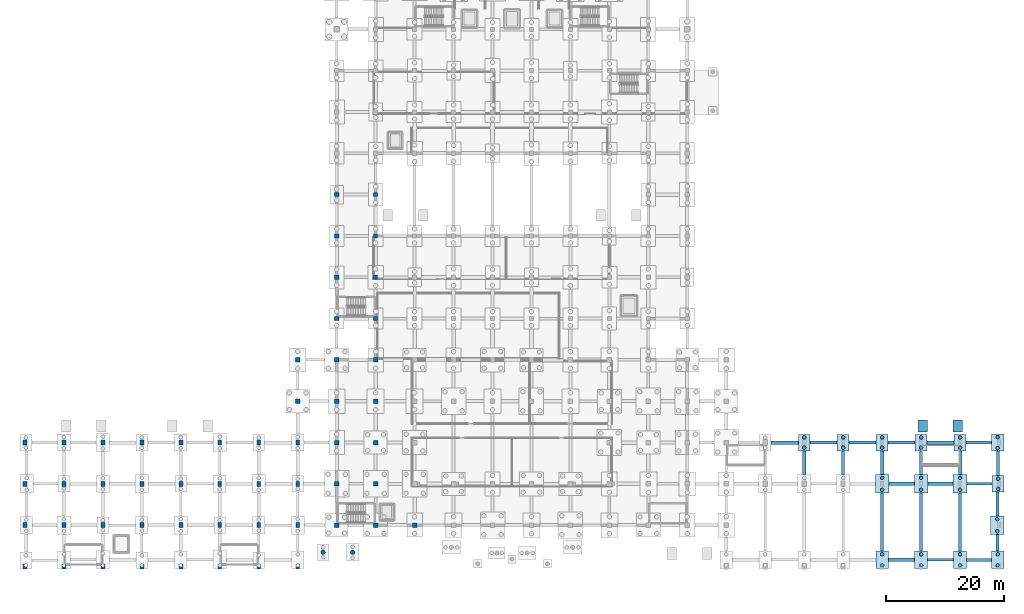
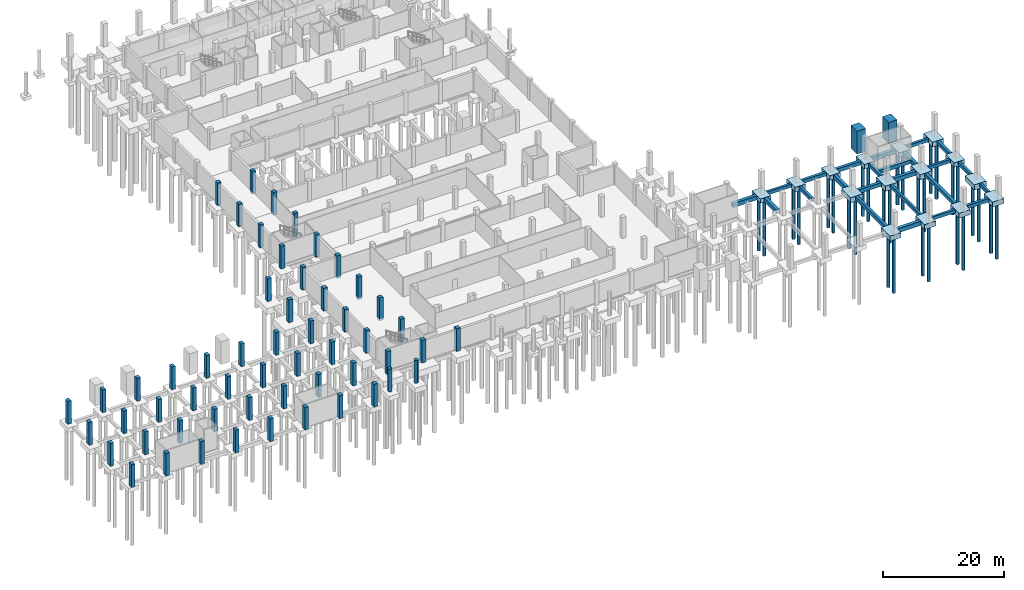
# One storey, part 12 of 27: 55 columns, 41 footings, 30 piles.
"""IFC4 building model written with IfcOpenShell, lengths in metres."""

from ifc_helpers import new_model, si_unit, direction, frame, origin, origin_2d, place, context, subcontext, project, spatial, rectangle, circle, extrude, material, material_profile, profile_set, type_object, element, save


model = new_model("IFC4")

# Units and contexts
model_context = context("Model", 3, precision=1e-05, world=origin(), true_north=direction((0.0, 1.0)))
body_context = subcontext(model_context, "Body", "Model", "MODEL_VIEW")
ifc_project = project(units=[si_unit("LENGTHUNIT", "METRE"), si_unit("AREAUNIT", "SQUARE_METRE"), si_unit("VOLUMEUNIT", "CUBIC_METRE"), si_unit("PLANEANGLEUNIT", "RADIAN"), si_unit("MASSUNIT", "GRAM", prefix="KILO")], contexts=[model_context])

# Site, building, storey
site_placement = place(None, origin())
site = spatial("IfcSite", under=ifc_project, at=site_placement, CompositionType="ELEMENT")
building_placement = place(site_placement, origin())
building = spatial("IfcBuilding", under=site, at=building_placement, Name="Ciguamira Faculty of Natural Sciences", CompositionType="ELEMENT")
storey_placement = place(building_placement, frame((0.0, 0.0, -4.199951171875)))
storey = spatial("IfcBuildingStorey", under=building, at=storey_placement, Name="B1", CompositionType="ELEMENT", Elevation=-4.199951171875)

# Piles
ifc_material_1 = material(Name="Concrete C35/45", Category="concrete")
ifc_material_profile_1 = material_profile(ifc_material_1, circle(Radius=0.300048828125, at=origin_2d()), Name="PILE-BORED-600")
ifc_profile_set_1 = profile_set([ifc_material_profile_1], Name="Concrete C35/45")
pile_type = type_object("IfcPileType", Name="BoredPile_BP-01_600", PredefinedType="BORED", material=ifc_profile_set_1)
for number, where, z_axis, x_axis, name in (
    (1, (136.5, 23.139892578125, -1.199951171875), (0.0, 0.0, -1.0), (1.0, 0.0, 0.0), "B1 bored pile 195-1"),
    (2, (136.5, 24.860107421875, -1.199951171875), (0.0, 0.0, -1.0), (1.0, 0.0, 0.0), "B1 bored pile 195-2"),
    (3, (143.10009765625, 23.139892578125, -1.199951171875), (0.0, 0.0, -1.0), (1.0, 0.0, 0.0), "B1 bored pile 198-1"),
    (4, (143.10009765625, 24.860107421875, -1.199951171875), (0.0, 0.0, -1.0), (1.0, 0.0, 0.0), "B1 bored pile 198-2"),
):
    element("IfcPile", number, at=place(storey_placement, frame(where, z_axis=z_axis, x_axis=x_axis)), inside=storey, type_object=pile_type, Name=name, PredefinedType="BORED", context=body_context, shape_type="SweptSolid", body=[
        extrude(circle(Radius=0.300048828125, at=origin_2d()), origin(), (0.0, 0.0, 1.0), 11.199951171875),
    ])
for number, where, z_axis, x_axis, name in (
    (5, (149.699951171875, 3.18994140625, -1.300048828125), (0.0, 0.0, -1.0), (1.0, 0.0, 0.0), "B1 bored pile 199-1"),
    (6, (149.699951171875, 5.06005859375, -1.300048828125), (0.0, 0.0, -1.0), (1.0, 0.0, 0.0), "B1 bored pile 199-2"),
):
    element("IfcPile", number, at=place(storey_placement, frame(where, z_axis=z_axis, x_axis=x_axis)), inside=storey, type_object=pile_type, Name=name, PredefinedType="BORED", context=body_context, shape_type="SweptSolid", body=[
        extrude(circle(Radius=0.300048828125, at=origin_2d()), origin(), (0.0, 0.0, 1.0), 11.10009765625),
    ])
for number, where, z_axis, x_axis, name in (
    (7, (149.699951171875, 15.989990234375, -1.35009765625), (0.0, 0.0, -1.0), (1.0, 0.0, 0.0), "B1 bored pile 200-1"),
    (8, (149.699951171875, 18.010009765625, -1.35009765625), (0.0, 0.0, -1.0), (1.0, 0.0, 0.0), "B1 bored pile 200-2"),
):
    element("IfcPile", number, at=place(storey_placement, frame(where, z_axis=z_axis, x_axis=x_axis)), inside=storey, type_object=pile_type, Name=name, PredefinedType="BORED", context=body_context, shape_type="SweptSolid", body=[
        extrude(circle(Radius=0.300048828125, at=origin_2d()), origin(), (0.0, 0.0, 1.0), 11.050048828125),
    ])
for number, where, z_axis, x_axis, name in (
    (9, (149.699951171875, 23.139892578125, -1.199951171875), (0.0, 0.0, -1.0), (1.0, 0.0, 0.0), "B1 bored pile 201-1"),
    (10, (149.699951171875, 24.860107421875, -1.199951171875), (0.0, 0.0, -1.0), (1.0, 0.0, 0.0), "B1 bored pile 201-2"),
):
    element("IfcPile", number, at=place(storey_placement, frame(where, z_axis=z_axis, x_axis=x_axis)), inside=storey, type_object=pile_type, Name=name, PredefinedType="BORED", context=body_context, shape_type="SweptSolid", body=[
        extrude(circle(Radius=0.300048828125, at=origin_2d()), origin(), (0.0, 0.0, 1.0), 11.199951171875),
    ])
for number, where, z_axis, x_axis, name in (
    (11, (156.300048828125, 3.18994140625, -1.300048828125), (0.0, 0.0, -1.0), (1.0, 0.0, 0.0), "B1 bored pile 202-1"),
    (12, (156.300048828125, 5.06005859375, -1.300048828125), (0.0, 0.0, -1.0), (1.0, 0.0, 0.0), "B1 bored pile 202-2"),
):
    element("IfcPile", number, at=place(storey_placement, frame(where, z_axis=z_axis, x_axis=x_axis)), inside=storey, type_object=pile_type, Name=name, PredefinedType="BORED", context=body_context, shape_type="SweptSolid", body=[
        extrude(circle(Radius=0.300048828125, at=origin_2d()), origin(), (0.0, 0.0, 1.0), 11.10009765625),
    ])
for number, where, z_axis, x_axis, name in (
    (13, (156.300048828125, 15.989990234375, -1.35009765625), (0.0, 0.0, -1.0), (1.0, 0.0, 0.0), "B1 bored pile 203-1"),
    (14, (156.300048828125, 18.010009765625, -1.35009765625), (0.0, 0.0, -1.0), (1.0, 0.0, 0.0), "B1 bored pile 203-2"),
):
    element("IfcPile", number, at=place(storey_placement, frame(where, z_axis=z_axis, x_axis=x_axis)), inside=storey, type_object=pile_type, Name=name, PredefinedType="BORED", context=body_context, shape_type="SweptSolid", body=[
        extrude(circle(Radius=0.300048828125, at=origin_2d()), origin(), (0.0, 0.0, 1.0), 11.050048828125),
    ])
for number, where, z_axis, x_axis, name in (
    (15, (156.300048828125, 23.139892578125, -1.199951171875), (0.0, 0.0, -1.0), (1.0, 0.0, 0.0), "B1 bored pile 204-1"),
    (16, (156.300048828125, 24.860107421875, -1.199951171875), (0.0, 0.0, -1.0), (1.0, 0.0, 0.0), "B1 bored pile 204-2"),
):
    element("IfcPile", number, at=place(storey_placement, frame(where, z_axis=z_axis, x_axis=x_axis)), inside=storey, type_object=pile_type, Name=name, PredefinedType="BORED", context=body_context, shape_type="SweptSolid", body=[
        extrude(circle(Radius=0.300048828125, at=origin_2d()), origin(), (0.0, 0.0, 1.0), 11.199951171875),
    ])
for number, where, z_axis, x_axis, name in (
    (17, (162.89990234375, 3.18994140625, -1.300048828125), (0.0, 0.0, -1.0), (1.0, 0.0, 0.0), "B1 bored pile 205-1"),
    (18, (162.89990234375, 5.06005859375, -1.300048828125), (0.0, 0.0, -1.0), (1.0, 0.0, 0.0), "B1 bored pile 205-2"),
):
    element("IfcPile", number, at=place(storey_placement, frame(where, z_axis=z_axis, x_axis=x_axis)), inside=storey, type_object=pile_type, Name=name, PredefinedType="BORED", context=body_context, shape_type="SweptSolid", body=[
        extrude(circle(Radius=0.300048828125, at=origin_2d()), origin(), (0.0, 0.0, 1.0), 11.10009765625),
    ])
for number, where, z_axis, x_axis, name in (
    (19, (162.89990234375, 15.989990234375, -1.35009765625), (0.0, 0.0, -1.0), (1.0, 0.0, 0.0), "B1 bored pile 206-1"),
    (20, (162.89990234375, 18.010009765625, -1.35009765625), (0.0, 0.0, -1.0), (1.0, 0.0, 0.0), "B1 bored pile 206-2"),
):
    element("IfcPile", number, at=place(storey_placement, frame(where, z_axis=z_axis, x_axis=x_axis)), inside=storey, type_object=pile_type, Name=name, PredefinedType="BORED", context=body_context, shape_type="SweptSolid", body=[
        extrude(circle(Radius=0.300048828125, at=origin_2d()), origin(), (0.0, 0.0, 1.0), 11.050048828125),
    ])
for number, where, z_axis, x_axis, name in (
    (21, (162.89990234375, 23.139892578125, -1.199951171875), (0.0, 0.0, -1.0), (1.0, 0.0, 0.0), "B1 bored pile 207-1"),
    (22, (162.89990234375, 24.860107421875, -1.199951171875), (0.0, 0.0, -1.0), (1.0, 0.0, 0.0), "B1 bored pile 207-2"),
):
    element("IfcPile", number, at=place(storey_placement, frame(where, z_axis=z_axis, x_axis=x_axis)), inside=storey, type_object=pile_type, Name=name, PredefinedType="BORED", context=body_context, shape_type="SweptSolid", body=[
        extrude(circle(Radius=0.300048828125, at=origin_2d()), origin(), (0.0, 0.0, 1.0), 11.199951171875),
    ])
for number, where, z_axis, x_axis, name in (
    (23, (169.27490234375, 3.18994140625, -1.300048828125), (0.0, 0.0, -1.0), (1.0, 0.0, 0.0), "B1 bored pile 208-1"),
    (24, (169.27490234375, 5.06005859375, -1.300048828125), (0.0, 0.0, -1.0), (1.0, 0.0, 0.0), "B1 bored pile 208-2"),
):
    element("IfcPile", number, at=place(storey_placement, frame(where, z_axis=z_axis, x_axis=x_axis)), inside=storey, type_object=pile_type, Name=name, PredefinedType="BORED", context=body_context, shape_type="SweptSolid", body=[
        extrude(circle(Radius=0.300048828125, at=origin_2d()), origin(), (0.0, 0.0, 1.0), 11.10009765625),
    ])
for number, where, z_axis, x_axis, name in (
    (25, (169.199951171875, 8.989990234375, -1.35009765625), (0.0, 0.0, -1.0), (1.0, 0.0, 0.0), "B1 bored pile 209-1"),
    (26, (169.199951171875, 11.010009765625, -1.35009765625), (0.0, 0.0, -1.0), (1.0, 0.0, 0.0), "B1 bored pile 209-2"),
):
    element("IfcPile", number, at=place(storey_placement, frame(where, z_axis=z_axis, x_axis=x_axis)), inside=storey, type_object=pile_type, Name=name, PredefinedType="BORED", context=body_context, shape_type="SweptSolid", body=[
        extrude(circle(Radius=0.300048828125, at=origin_2d()), origin(), (0.0, 0.0, 1.0), 11.050048828125),
    ])
for number, where, z_axis, x_axis, name in (
    (27, (169.35009765625, 16.139892578125, -1.199951171875), (0.0, 0.0, -1.0), (1.0, 0.0, 0.0), "B1 bored pile 210-1"),
    (28, (169.35009765625, 17.860107421875, -1.199951171875), (0.0, 0.0, -1.0), (1.0, 0.0, 0.0), "B1 bored pile 210-2"),
):
    element("IfcPile", number, at=place(storey_placement, frame(where, z_axis=z_axis, x_axis=x_axis)), inside=storey, type_object=pile_type, Name=name, PredefinedType="BORED", context=body_context, shape_type="SweptSolid", body=[
        extrude(circle(Radius=0.300048828125, at=origin_2d()), origin(), (0.0, 0.0, 1.0), 11.199951171875),
    ])
for number, where, z_axis, x_axis, name in (
    (29, (169.27490234375, 23.06494140625, -1.300048828125), (0.0, 0.0, -1.0), (1.0, 0.0, 0.0), "B1 bored pile 211-1"),
    (30, (169.27490234375, 24.93505859375, -1.300048828125), (0.0, 0.0, -1.0), (1.0, 0.0, 0.0), "B1 bored pile 211-2"),
):
    element("IfcPile", number, at=place(storey_placement, frame(where, z_axis=z_axis, x_axis=x_axis)), inside=storey, type_object=pile_type, Name=name, PredefinedType="BORED", context=body_context, shape_type="SweptSolid", body=[
        extrude(circle(Radius=0.300048828125, at=origin_2d()), origin(), (0.0, 0.0, 1.0), 11.10009765625),
    ])

# Footings
ifc_material_profile_2 = material_profile(ifc_material_1, rectangle(XDim=0.449951171875, YDim=0.64990234375, at=origin_2d()), Name="RC-FB-450X650")
ifc_profile_set_2 = profile_set([ifc_material_profile_2], Name="Concrete C35/45")
footing_type_1 = type_object("IfcFootingType", Name="FootingBeam_FB-01_450x650", PredefinedType="FOOTING_BEAM", material=ifc_profile_set_2)
footing_1_placement = place(storey_placement, frame((157.375, 4.125, -0.72509765625), z_axis=(1.0, 0.0, 0.0), x_axis=(0.0, 1.0, 0.0)))
element("IfcFooting", 31, at=footing_1_placement, inside=storey, type_object=footing_type_1, Name="B1 ground tie beam 0013", PredefinedType="FOOTING_BEAM", context=body_context, shape_type="SweptSolid", body=[
    extrude(rectangle(XDim=0.449951171875, YDim=0.64990234375, at=origin_2d()), origin(), (0.0, 0.0, 1.0), 4.449951171875),
])
footing_2_placement = place(storey_placement, frame((164.050048828125, 17.0, -0.72509765625), z_axis=(1.0, 0.0, 0.0), x_axis=(0.0, 1.0, 0.0)))
element("IfcFooting", 32, at=footing_2_placement, inside=storey, type_object=footing_type_1, Name="B1 ground tie beam 0057", PredefinedType="FOOTING_BEAM", context=body_context, shape_type="SweptSolid", body=[
    extrude(rectangle(XDim=0.449951171875, YDim=0.64990234375, at=origin_2d()), origin(), (0.0, 0.0, 1.0), 4.300048828125),
])
footing_3_placement = place(storey_placement, frame((137.5, 24.0, -0.72509765625), z_axis=(1.0, 0.0, 0.0), x_axis=(0.0, 1.0, 0.0)))
element("IfcFooting", 33, at=footing_3_placement, inside=storey, type_object=footing_type_1, Name="B1 ground tie beam 0073", PredefinedType="FOOTING_BEAM", context=body_context, shape_type="SweptSolid", body=[
    extrude(rectangle(XDim=0.449951171875, YDim=0.64990234375, at=origin_2d()), origin(), (0.0, 0.0, 1.0), 4.60009765625),
])
footing_4_placement = place(storey_placement, frame((163.89990234375, 24.0, -0.72509765625), z_axis=(1.0, 0.0, 0.0), x_axis=(0.0, 1.0, 0.0)))
element("IfcFooting", 34, at=footing_4_placement, inside=storey, type_object=footing_type_1, Name="B1 ground tie beam 0077", PredefinedType="FOOTING_BEAM", context=body_context, shape_type="SweptSolid", body=[
    extrude(rectangle(XDim=0.449951171875, YDim=0.64990234375, at=origin_2d()), origin(), (0.0, 0.0, 1.0), 4.300048828125),
])
footing_5_placement = place(storey_placement, frame((156.300048828125, 5.60009765625, -0.72509765625), z_axis=(0.0, 1.0, 0.0), x_axis=(-1.0, 0.0, 0.0)))
element("IfcFooting", 35, at=footing_5_placement, inside=storey, type_object=footing_type_1, Name="B1 ground tie beam 0365", PredefinedType="FOOTING_BEAM", context=body_context, shape_type="SweptSolid", body=[
    extrude(rectangle(XDim=0.449951171875, YDim=0.64990234375, at=origin_2d()), origin(), (0.0, 0.0, 1.0), 9.849853515625),
])
footing_6_placement = place(storey_placement, frame((169.237548828125, 5.60009765625, -0.72509765625), z_axis=(0.0, 1.0, 0.0), x_axis=(-1.0, 0.0, 0.0)))
element("IfcFooting", 36, at=footing_6_placement, inside=storey, type_object=footing_type_1, Name="B1 ground tie beam 0369", PredefinedType="FOOTING_BEAM", context=body_context, shape_type="SweptSolid", body=[
    extrude(rectangle(XDim=0.449951171875, YDim=0.64990234375, at=origin_2d()), origin(), (0.0, 0.0, 1.0), 2.849853515625),
])
ifc_material_profile_3 = material_profile(ifc_material_1, rectangle(XDim=0.5, YDim=0.699951171875, at=origin_2d()), Name="RC-FB-500X700")
ifc_profile_set_3 = profile_set([ifc_material_profile_3], Name="Concrete C35/45")
footing_type_2 = type_object("IfcFootingType", Name="FootingBeam_FB-02_500x700", PredefinedType="FOOTING_BEAM", material=ifc_profile_set_3)
footing_7_placement = place(storey_placement, frame((163.97509765625, 4.125, -0.75), z_axis=(1.0, 0.0, 0.0), x_axis=(0.0, 1.0, 0.0)))
element("IfcFooting", 37, at=footing_7_placement, inside=storey, type_object=footing_type_2, Name="B1 ground tie beam 0014", PredefinedType="FOOTING_BEAM", context=body_context, shape_type="SweptSolid", body=[
    extrude(rectangle(XDim=0.5, YDim=0.699951171875, at=origin_2d()), origin(), (0.0, 0.0, 1.0), 4.224853515625),
])
footing_8_placement = place(storey_placement, frame((144.10009765625, 24.0, -0.75), z_axis=(1.0, 0.0, 0.0), x_axis=(0.0, 1.0, 0.0)))
element("IfcFooting", 38, at=footing_8_placement, inside=storey, type_object=footing_type_2, Name="B1 ground tie beam 0074", PredefinedType="FOOTING_BEAM", context=body_context, shape_type="SweptSolid", body=[
    extrude(rectangle(XDim=0.5, YDim=0.699951171875, at=origin_2d()), origin(), (0.0, 0.0, 1.0), 4.599853515625),
])
for number, where, z_axis, x_axis, name in (
    (39, (143.10009765625, 18.550048828125, -0.75), (0.0, 1.0, 0.0), (-1.0, 0.0, 0.0), "B1 ground tie beam 0362"),
    (40, (156.300048828125, 18.550048828125, -0.75), (0.0, 1.0, 0.0), (-1.0, 0.0, 0.0), "B1 ground tie beam 0366"),
    (41, (169.27490234375, 11.550048828125, -0.75), (0.0, 1.0, 0.0), (-1.0, 0.0, 0.0), "B1 ground tie beam 0370"),
):
    element("IfcFooting", number, at=place(storey_placement, frame(where, z_axis=z_axis, x_axis=x_axis)), inside=storey, type_object=footing_type_2, Name=name, PredefinedType="FOOTING_BEAM", context=body_context, shape_type="SweptSolid", body=[
        extrude(rectangle(XDim=0.5, YDim=0.699951171875, at=origin_2d()), origin(), (0.0, 0.0, 1.0), 4.050048828125),
    ])
ifc_material_profile_4 = material_profile(ifc_material_1, rectangle(XDim=0.550048828125, YDim=0.75, at=origin_2d()), Name="RC-FB-550X750")
ifc_profile_set_4 = profile_set([ifc_material_profile_4], Name="Concrete C35/45")
footing_type_3 = type_object("IfcFootingType", Name="FootingBeam_FB-03_550x750", PredefinedType="FOOTING_BEAM", material=ifc_profile_set_4)
footing_9_placement = place(storey_placement, frame((150.85009765625, 17.0, -0.775146484375), z_axis=(1.0, 0.0, 0.0), x_axis=(0.0, 1.0, 0.0)))
element("IfcFooting", 42, at=footing_9_placement, inside=storey, type_object=footing_type_3, Name="B1 ground tie beam 0055", PredefinedType="FOOTING_BEAM", context=body_context, shape_type="SweptSolid", body=[
    extrude(rectangle(XDim=0.550048828125, YDim=0.75, at=origin_2d()), origin(), (0.0, 0.0, 1.0), 4.2998046875),
])
footing_10_placement = place(storey_placement, frame((150.699951171875, 24.0, -0.775146484375), z_axis=(1.0, 0.0, 0.0), x_axis=(0.0, 1.0, 0.0)))
element("IfcFooting", 43, at=footing_10_placement, inside=storey, type_object=footing_type_3, Name="B1 ground tie beam 0075", PredefinedType="FOOTING_BEAM", context=body_context, shape_type="SweptSolid", body=[
    extrude(rectangle(XDim=0.550048828125, YDim=0.75, at=origin_2d()), origin(), (0.0, 0.0, 1.0), 4.60009765625),
])
for number, where, z_axis, x_axis, name in (
    (44, (149.699951171875, 5.60009765625, -0.775146484375), (0.0, 1.0, 0.0), (-1.0, 0.0, 0.0), "B1 ground tie beam 0363"),
    (45, (162.89990234375, 5.60009765625, -0.775146484375), (0.0, 1.0, 0.0), (-1.0, 0.0, 0.0), "B1 ground tie beam 0367"),
):
    element("IfcFooting", number, at=place(storey_placement, frame(where, z_axis=z_axis, x_axis=x_axis)), inside=storey, type_object=footing_type_3, Name=name, PredefinedType="FOOTING_BEAM", context=body_context, shape_type="SweptSolid", body=[
        extrude(rectangle(XDim=0.550048828125, YDim=0.75, at=origin_2d()), origin(), (0.0, 0.0, 1.0), 9.849853515625),
    ])
footing_11_placement = place(storey_placement, frame((169.3125, 18.39990234375, -0.775146484375), z_axis=(0.0, 1.0, 0.0), x_axis=(-1.0, 0.0, 0.0)))
element("IfcFooting", 46, at=footing_11_placement, inside=storey, type_object=footing_type_3, Name="B1 ground tie beam 0371", PredefinedType="FOOTING_BEAM", context=body_context, shape_type="SweptSolid", body=[
    extrude(rectangle(XDim=0.550048828125, YDim=0.75, at=origin_2d()), origin(), (0.0, 0.0, 1.0), 4.125),
])
footing_12_placement = place(storey_placement, frame((156.610107421875, 20.199951171875, -0.775146484375), z_axis=(1.0, 0.0, 0.0), x_axis=(0.0, 1.0, 0.0)))
element("IfcFooting", 47, at=footing_12_placement, inside=storey, type_object=footing_type_3, Name="B1 ST-L2 core transverse footing beam south", PredefinedType="FOOTING_BEAM", context=body_context, shape_type="SweptSolid", body=[
    extrude(rectangle(XDim=0.550048828125, YDim=0.75, at=origin_2d()), origin(), (0.0, 0.0, 1.0), 5.97998046875),
])
ifc_material_profile_5 = material_profile(ifc_material_1, rectangle(XDim=0.60009765625, YDim=0.85009765625, at=origin_2d()), Name="RC-FB-600X850")
ifc_profile_set_5 = profile_set([ifc_material_profile_5], Name="Concrete C35/45")
footing_type_4 = type_object("IfcFootingType", Name="FootingBeam_FB-04_600x850", PredefinedType="FOOTING_BEAM", material=ifc_profile_set_5)
footing_13_placement = place(storey_placement, frame((150.77490234375, 4.125, -0.824951171875), z_axis=(1.0, 0.0, 0.0), x_axis=(0.0, 1.0, 0.0)))
element("IfcFooting", 48, at=footing_13_placement, inside=storey, type_object=footing_type_4, Name="B1 ground tie beam 0012", PredefinedType="FOOTING_BEAM", context=body_context, shape_type="SweptSolid", body=[
    extrude(rectangle(XDim=0.60009765625, YDim=0.85009765625, at=origin_2d()), origin(), (0.0, 0.0, 1.0), 4.4501953125),
])
footing_14_placement = place(storey_placement, frame((157.449951171875, 17.0, -0.824951171875), z_axis=(1.0, 0.0, 0.0), x_axis=(0.0, 1.0, 0.0)))
element("IfcFooting", 49, at=footing_14_placement, inside=storey, type_object=footing_type_4, Name="B1 ground tie beam 0056", PredefinedType="FOOTING_BEAM", context=body_context, shape_type="SweptSolid", body=[
    extrude(rectangle(XDim=0.60009765625, YDim=0.85009765625, at=origin_2d()), origin(), (0.0, 0.0, 1.0), 4.300048828125),
])
footing_15_placement = place(storey_placement, frame((130.89990234375, 24.0, -0.824951171875), z_axis=(1.0, 0.0, 0.0), x_axis=(0.0, 1.0, 0.0)))
element("IfcFooting", 50, at=footing_15_placement, inside=storey, type_object=footing_type_4, Name="B1 ground tie beam 0072", PredefinedType="FOOTING_BEAM", context=body_context, shape_type="SweptSolid", body=[
    extrude(rectangle(XDim=0.60009765625, YDim=0.85009765625, at=origin_2d()), origin(), (0.0, 0.0, 1.0), 4.60009765625),
])
footing_16_placement = place(storey_placement, frame((157.300048828125, 24.0, -0.824951171875), z_axis=(1.0, 0.0, 0.0), x_axis=(0.0, 1.0, 0.0)))
element("IfcFooting", 51, at=footing_16_placement, inside=storey, type_object=footing_type_4, Name="B1 ground tie beam 0076", PredefinedType="FOOTING_BEAM", context=body_context, shape_type="SweptSolid", body=[
    extrude(rectangle(XDim=0.60009765625, YDim=0.85009765625, at=origin_2d()), origin(), (0.0, 0.0, 1.0), 4.599853515625),
])
for number, where, z_axis, x_axis, name in (
    (52, (136.5, 18.550048828125, -0.824951171875), (0.0, 1.0, 0.0), (-1.0, 0.0, 0.0), "B1 ground tie beam 0360"),
    (53, (149.699951171875, 18.550048828125, -0.824951171875), (0.0, 1.0, 0.0), (-1.0, 0.0, 0.0), "B1 ground tie beam 0364"),
    (54, (162.89990234375, 18.550048828125, -0.824951171875), (0.0, 1.0, 0.0), (-1.0, 0.0, 0.0), "B1 ground tie beam 0368"),
):
    element("IfcFooting", number, at=place(storey_placement, frame(where, z_axis=z_axis, x_axis=x_axis)), inside=storey, type_object=footing_type_4, Name=name, PredefinedType="FOOTING_BEAM", context=body_context, shape_type="SweptSolid", body=[
        extrude(rectangle(XDim=0.60009765625, YDim=0.85009765625, at=origin_2d()), origin(), (0.0, 0.0, 1.0), 4.050048828125),
    ])
footing_type_5 = type_object("IfcFootingType", Name="PileCap_PC-01_200x280x90", PredefinedType="PILE_CAP", material=ifc_material_1)
for number, where, z_axis, x_axis, name in (
    (55, (136.5, 24.0, -1.300048828125), (0.0, 0.0, 1.0), (1.0, 0.0, 0.0), "B1 pile cap PC-01 at (136.5, 24.0)"),
    (56, (143.10009765625, 24.0, -1.300048828125), (0.0, 0.0, 1.0), (1.0, 0.0, 0.0), "B1 pile cap PC-01 at (143.1, 24.0)"),
    (57, (149.699951171875, 24.0, -1.300048828125), (0.0, 0.0, 1.0), (1.0, 0.0, 0.0), "B1 pile cap PC-01 at (149.7, 24.0)"),
    (58, (156.300048828125, 24.0, -1.300048828125), (0.0, 0.0, 1.0), (1.0, 0.0, 0.0), "B1 pile cap PC-01 at (156.3, 24.0)"),
    (59, (162.89990234375, 24.0, -1.300048828125), (0.0, 0.0, 1.0), (1.0, 0.0, 0.0), "B1 pile cap PC-01 at (162.9, 24.0)"),
    (60, (169.35009765625, 17.0, -1.300048828125), (0.0, 0.0, 1.0), (1.0, 0.0, 0.0), "B1 pile cap PC-01 at (169.5, 17.0)"),
):
    element("IfcFooting", number, at=place(storey_placement, frame(where, z_axis=z_axis, x_axis=x_axis)), inside=storey, type_object=footing_type_5, Name=name, PredefinedType="PILE_CAP", context=body_context, shape_type="SweptSolid", body=[
        extrude(rectangle(XDim=2.0, YDim=2.800048828125, at=origin_2d()), origin(), (0.0, 0.0, 1.0), 0.89990234375),
    ])
footing_type_6 = type_object("IfcFootingType", Name="PileCap_PC-02_215x295x100", PredefinedType="PILE_CAP", material=ifc_material_1)
for number, where, z_axis, x_axis, name in (
    (61, (149.699951171875, 4.125, -1.400146484375), (0.0, 0.0, 1.0), (1.0, 0.0, 0.0), "B1 pile cap PC-02 at (149.7, 3.0)"),
    (62, (156.300048828125, 4.125, -1.400146484375), (0.0, 0.0, 1.0), (1.0, 0.0, 0.0), "B1 pile cap PC-02 at (156.3, 3.0)"),
    (63, (162.89990234375, 4.125, -1.400146484375), (0.0, 0.0, 1.0), (1.0, 0.0, 0.0), "B1 pile cap PC-02 at (162.9, 3.0)"),
    (64, (169.27490234375, 4.125, -1.400146484375), (0.0, 0.0, 1.0), (1.0, 0.0, 0.0), "B1 pile cap PC-02 at (169.5, 3.0)"),
    (65, (169.27490234375, 24.0, -1.400146484375), (0.0, 0.0, 1.0), (1.0, 0.0, 0.0), "B1 pile cap PC-02 at (169.5, 24.0)"),
):
    element("IfcFooting", number, at=place(storey_placement, frame(where, z_axis=z_axis, x_axis=x_axis)), inside=storey, type_object=footing_type_6, Name=name, PredefinedType="PILE_CAP", context=body_context, shape_type="SweptSolid", body=[
        extrude(rectangle(XDim=2.14990234375, YDim=2.949951171875, at=origin_2d()), origin(), (0.0, 0.0, 1.0), 1.0),
    ])
footing_type_7 = type_object("IfcFootingType", Name="PileCap_PC-03_230x310x105", PredefinedType="PILE_CAP", material=ifc_material_1)
for number, where, z_axis, x_axis, name in (
    (66, (149.699951171875, 17.0, -1.4501953125), (0.0, 0.0, 1.0), (1.0, 0.0, 0.0), "B1 pile cap PC-03 at (149.7, 17.0)"),
    (67, (156.300048828125, 17.0, -1.4501953125), (0.0, 0.0, 1.0), (1.0, 0.0, 0.0), "B1 pile cap PC-03 at (156.3, 17.0)"),
    (68, (162.89990234375, 17.0, -1.4501953125), (0.0, 0.0, 1.0), (1.0, 0.0, 0.0), "B1 pile cap PC-03 at (162.9, 17.0)"),
    (69, (169.199951171875, 10.0, -1.4501953125), (0.0, 0.0, 1.0), (1.0, 0.0, 0.0), "B1 pile cap PC-03 at (169.5, 10.0)"),
):
    element("IfcFooting", number, at=place(storey_placement, frame(where, z_axis=z_axis, x_axis=x_axis)), inside=storey, type_object=footing_type_7, Name=name, PredefinedType="PILE_CAP", context=body_context, shape_type="SweptSolid", body=[
        extrude(rectangle(XDim=2.300048828125, YDim=3.10009765625, at=origin_2d()), origin(), (0.0, 0.0, 1.0), 1.050048828125),
    ])
footing_type_8 = type_object("IfcFootingType", Name="RampFootPad_RFP01", PredefinedType="PAD_FOOTING", material=ifc_material_1)
footing_17_placement = place(storey_placement, frame((162.550048828125, 26.800048828125, -0.400146484375), z_axis=(0.0, 0.0, 1.0), x_axis=(-1.0, 0.0, 0.0)))
element("IfcFooting", 70, at=footing_17_placement, inside=storey, type_object=footing_type_8, Name="East Pavilion Promenade Accessible Ramp foundation pier", PredefinedType="PAD_FOOTING", context=body_context, shape_type="SweptSolid", body=[
    extrude(rectangle(XDim=1.60009765625, YDim=2.0, at=origin_2d()), origin(), (0.0, 0.0, 1.0), 4.25),
])
footing_type_9 = type_object("IfcFootingType", Name="RampFootPad_RFP02", PredefinedType="PAD_FOOTING", material=ifc_material_1)
footing_18_placement = place(storey_placement, frame((156.550048828125, 26.800048828125, -0.400146484375), z_axis=(0.0, 0.0, 1.0), x_axis=(-1.0, 0.0, 0.0)))
element("IfcFooting", 71, at=footing_18_placement, inside=storey, type_object=footing_type_9, Name="East Pavilion Promenade Accessible Ramp upper landing pier", PredefinedType="PAD_FOOTING", context=body_context, shape_type="SweptSolid", body=[
    extrude(rectangle(XDim=1.60009765625, YDim=2.0, at=origin_2d()), origin(), (0.0, 0.0, 1.0), 4.60009765625),
])

# Columns
ifc_material_2 = material(Name="Concrete C45/55", Category="concrete")
ifc_material_profile_6 = material_profile(ifc_material_2, rectangle(XDim=0.75, YDim=0.75, at=origin_2d()), Name="RC-COL-750X750")
ifc_profile_set_6 = profile_set([ifc_material_profile_6], Name="Concrete C45/55")
column_type_1 = type_object("IfcColumnType", Name="Col_C-04_RC-COL-750X750", PredefinedType="COLUMN", material=ifc_profile_set_6)
for number, where, z_axis, x_axis, name in (
    (72, (50.699951171875, 31.0, -0.400146484375), (0.0, 0.0, 1.0), (1.0, 0.0, 0.0), "B1 column 8/E"),
    (73, (50.699951171875, 38.0, -0.400146484375), (0.0, 0.0, 1.0), (1.0, 0.0, 0.0), "B1 column 8/F"),
    (74, (57.300048828125, 10.0, -0.400146484375), (0.0, 0.0, 1.0), (1.0, 0.0, 0.0), "B1 column 9/B"),
    (75, (57.300048828125, 17.0, -0.400146484375), (0.0, 0.0, 1.0), (1.0, 0.0, 0.0), "B1 column 9/C"),
    (76, (57.300048828125, 24.0, -0.400146484375), (0.0, 0.0, 1.0), (1.0, 0.0, 0.0), "B1 column 9/D"),
    (77, (57.300048828125, 31.0, -0.400146484375), (0.0, 0.0, 1.0), (1.0, 0.0, 0.0), "B1 column 9/E"),
    (78, (57.300048828125, 38.0, -0.400146484375), (0.0, 0.0, 1.0), (1.0, 0.0, 0.0), "B1 column 9/F"),
    (79, (63.89990234375, 10.0, -0.400146484375), (0.0, 0.0, 1.0), (1.0, 0.0, 0.0), "B1 column 10/B"),
    (80, (63.89990234375, 17.0, -0.400146484375), (0.0, 0.0, 1.0), (1.0, 0.0, 0.0), "B1 column 10/C"),
    (81, (63.89990234375, 24.0, -0.400146484375), (0.0, 0.0, 1.0), (1.0, 0.0, 0.0), "B1 column 10/D"),
    (82, (63.89990234375, 31.0, -0.400146484375), (0.0, 0.0, 1.0), (1.0, 0.0, 0.0), "B1 column 10/E"),
    (83, (63.89990234375, 38.0, -0.400146484375), (0.0, 0.0, 1.0), (1.0, 0.0, 0.0), "B1 column 10/F"),
    (84, (70.5, 10.0, -0.400146484375), (0.0, 0.0, 1.0), (1.0, 0.0, 0.0), "B1 column 11/B"),
):
    element("IfcColumn", number, at=place(storey_placement, frame(where, z_axis=z_axis, x_axis=x_axis)), inside=storey, type_object=column_type_1, Name=name, PredefinedType="COLUMN", context=body_context, shape_type="SweptSolid", body=[
        extrude(rectangle(XDim=0.75, YDim=0.75, at=origin_2d()), origin(), (0.0, 0.0, 1.0), 4.60009765625),
    ])
ifc_material_3 = material(Name="Concrete C40/50", Category="concrete")
ifc_material_profile_7 = material_profile(ifc_material_3, rectangle(XDim=0.699951171875, YDim=0.699951171875, at=origin_2d()), Name="RC-COL-700X700")
ifc_profile_set_7 = profile_set([ifc_material_profile_7], Name="Concrete C40/50")
column_type_2 = type_object("IfcColumnType", Name="Col_C-05_RC-COL-700X700", PredefinedType="COLUMN", material=ifc_profile_set_7)
for number, where, z_axis, x_axis, name in (
    (85, (57.300048828125, 45.0, -0.400146484375), (0.0, 0.0, 1.0), (1.0, 0.0, 0.0), "B1 column 9/G"),
    (86, (57.300048828125, 52.0, -0.400146484375), (0.0, 0.0, 1.0), (1.0, 0.0, 0.0), "B1 column 9/H"),
    (87, (57.300048828125, 59.0, -0.400146484375), (0.0, 0.0, 1.0), (1.0, 0.0, 0.0), "B1 column 9/J"),
    (88, (57.300048828125, 66.0, -0.400146484375), (0.0, 0.0, 1.0), (1.0, 0.0, 0.0), "B1 column 9/K"),
    (89, (63.89990234375, 45.0, -0.400146484375), (0.0, 0.0, 1.0), (1.0, 0.0, 0.0), "B1 column 10/G"),
    (90, (63.89990234375, 52.0, -0.400146484375), (0.0, 0.0, 1.0), (1.0, 0.0, 0.0), "B1 column 10/H"),
    (91, (63.89990234375, 59.0, -0.400146484375), (0.0, 0.0, 1.0), (1.0, 0.0, 0.0), "B1 column 10/J"),
    (92, (63.89990234375, 66.0, -0.400146484375), (0.0, 0.0, 1.0), (1.0, 0.0, 0.0), "B1 column 10/K"),
):
    element("IfcColumn", number, at=place(storey_placement, frame(where, z_axis=z_axis, x_axis=x_axis)), inside=storey, type_object=column_type_2, Name=name, PredefinedType="COLUMN", context=body_context, shape_type="SweptSolid", body=[
        extrude(rectangle(XDim=0.699951171875, YDim=0.699951171875, at=origin_2d()), origin(), (0.0, 0.0, 1.0), 4.60009765625),
    ])
ifc_material_profile_8 = material_profile(ifc_material_3, rectangle(XDim=0.64990234375, YDim=0.85009765625, at=origin_2d()), Name="RC-COL-650X850")
ifc_profile_set_8 = profile_set([ifc_material_profile_8], Name="Concrete C40/50")
column_type_3 = type_object("IfcColumnType", Name="Col_C-12_RC-COL-650X850", PredefinedType="COLUMN", material=ifc_profile_set_8)
for number, where, z_axis, x_axis, name in (
    (93, (4.5, 3.0, -0.400146484375), (0.0, 0.0, 1.0), (1.0, 0.0, 0.0), "B1 column 1/A"),
    (94, (4.5, 10.0, -0.400146484375), (0.0, 0.0, 1.0), (1.0, 0.0, 0.0), "B1 column 1/B"),
    (95, (4.5, 17.0, -0.400146484375), (0.0, 0.0, 1.0), (1.0, 0.0, 0.0), "B1 column 1/C"),
    (96, (4.5, 24.0, -0.400146484375), (0.0, 0.0, 1.0), (1.0, 0.0, 0.0), "B1 column 1/D"),
    (97, (11.10009765625, 3.0, -0.400146484375), (0.0, 0.0, 1.0), (1.0, 0.0, 0.0), "B1 column 2/A"),
    (98, (11.10009765625, 10.0, -0.400146484375), (0.0, 0.0, 1.0), (1.0, 0.0, 0.0), "B1 column 2/B"),
    (99, (11.10009765625, 17.0, -0.400146484375), (0.0, 0.0, 1.0), (1.0, 0.0, 0.0), "B1 column 2/C"),
    (100, (11.10009765625, 24.0, -0.400146484375), (0.0, 0.0, 1.0), (1.0, 0.0, 0.0), "B1 column 2/D"),
    (101, (17.699951171875, 3.0, -0.400146484375), (0.0, 0.0, 1.0), (1.0, 0.0, 0.0), "B1 column 3/A"),
    (102, (17.699951171875, 10.0, -0.400146484375), (0.0, 0.0, 1.0), (1.0, 0.0, 0.0), "B1 column 3/B"),
    (103, (17.699951171875, 17.0, -0.400146484375), (0.0, 0.0, 1.0), (1.0, 0.0, 0.0), "B1 column 3/C"),
    (104, (17.699951171875, 24.0, -0.400146484375), (0.0, 0.0, 1.0), (1.0, 0.0, 0.0), "B1 column 3/D"),
    (105, (24.300048828125, 3.0, -0.400146484375), (0.0, 0.0, 1.0), (1.0, 0.0, 0.0), "B1 column 4/A"),
    (106, (24.300048828125, 10.0, -0.400146484375), (0.0, 0.0, 1.0), (1.0, 0.0, 0.0), "B1 column 4/B"),
    (107, (24.300048828125, 17.0, -0.400146484375), (0.0, 0.0, 1.0), (1.0, 0.0, 0.0), "B1 column 4/C"),
    (108, (24.300048828125, 24.0, -0.400146484375), (0.0, 0.0, 1.0), (1.0, 0.0, 0.0), "B1 column 4/D"),
    (109, (30.89990234375, 3.0, -0.400146484375), (0.0, 0.0, 1.0), (1.0, 0.0, 0.0), "B1 column 5/A"),
    (110, (30.89990234375, 10.0, -0.400146484375), (0.0, 0.0, 1.0), (1.0, 0.0, 0.0), "B1 column 5/B"),
    (111, (30.89990234375, 17.0, -0.400146484375), (0.0, 0.0, 1.0), (1.0, 0.0, 0.0), "B1 column 5/C"),
    (112, (30.89990234375, 24.0, -0.400146484375), (0.0, 0.0, 1.0), (1.0, 0.0, 0.0), "B1 column 5/D"),
    (113, (37.5, 3.0, -0.400146484375), (0.0, 0.0, 1.0), (1.0, 0.0, 0.0), "B1 column 6/A"),
    (114, (37.5, 10.0, -0.400146484375), (0.0, 0.0, 1.0), (1.0, 0.0, 0.0), "B1 column 6/B"),
    (115, (37.5, 17.0, -0.400146484375), (0.0, 0.0, 1.0), (1.0, 0.0, 0.0), "B1 column 6/C"),
    (116, (37.5, 24.0, -0.400146484375), (0.0, 0.0, 1.0), (1.0, 0.0, 0.0), "B1 column 6/D"),
    (117, (44.10009765625, 3.0, -0.400146484375), (0.0, 0.0, 1.0), (1.0, 0.0, 0.0), "B1 column 7/A"),
    (118, (44.10009765625, 10.0, -0.400146484375), (0.0, 0.0, 1.0), (1.0, 0.0, 0.0), "B1 column 7/B"),
    (119, (44.10009765625, 17.0, -0.400146484375), (0.0, 0.0, 1.0), (1.0, 0.0, 0.0), "B1 column 7/C"),
    (120, (44.10009765625, 24.0, -0.400146484375), (0.0, 0.0, 1.0), (1.0, 0.0, 0.0), "B1 column 7/D"),
    (121, (50.699951171875, 3.0, -0.400146484375), (0.0, 0.0, 1.0), (1.0, 0.0, 0.0), "B1 column 8/A"),
    (122, (50.699951171875, 10.0, -0.400146484375), (0.0, 0.0, 1.0), (1.0, 0.0, 0.0), "B1 column 8/B"),
    (123, (50.699951171875, 17.0, -0.400146484375), (0.0, 0.0, 1.0), (1.0, 0.0, 0.0), "B1 column 8/C"),
    (124, (50.699951171875, 24.0, -0.400146484375), (0.0, 0.0, 1.0), (1.0, 0.0, 0.0), "B1 column 8/D"),
):
    element("IfcColumn", number, at=place(storey_placement, frame(where, z_axis=z_axis, x_axis=x_axis)), inside=storey, type_object=column_type_3, Name=name, PredefinedType="COLUMN", context=body_context, shape_type="SweptSolid", body=[
        extrude(rectangle(XDim=0.64990234375, YDim=0.85009765625, at=origin_2d()), origin(), (0.0, 0.0, 1.0), 4.60009765625),
    ])
ifc_material_profile_9 = material_profile(ifc_material_3, circle(Radius=0.375, at=origin_2d()), Name="RC-RND-750")
ifc_profile_set_9 = profile_set([ifc_material_profile_9], Name="Concrete C40/50")
column_type_4 = type_object("IfcColumnType", Name="Col_C-17_RC-RND-750", PredefinedType="COLUMN", material=ifc_profile_set_9)
for number, where, z_axis, x_axis, name in (
    (125, (55.0, 5.39990234375, -0.400146484375), (0.0, 0.0, 1.0), (1.0, 0.0, 0.0), "B1 Arrival Canopy Foundation Pier 1"),
    (126, (60.0, 5.39990234375, -0.400146484375), (0.0, 0.0, 1.0), (1.0, 0.0, 0.0), "B1 Arrival Canopy Foundation Pier 2"),
):
    element("IfcColumn", number, at=place(storey_placement, frame(where, z_axis=z_axis, x_axis=x_axis)), inside=storey, type_object=column_type_4, Name=name, PredefinedType="COLUMN", context=body_context, shape_type="SweptSolid", body=[
        extrude(circle(Radius=0.375, at=origin_2d()), origin(), (0.0, 0.0, 1.0), 4.60009765625),
    ])

save(model, "model.ifc")
